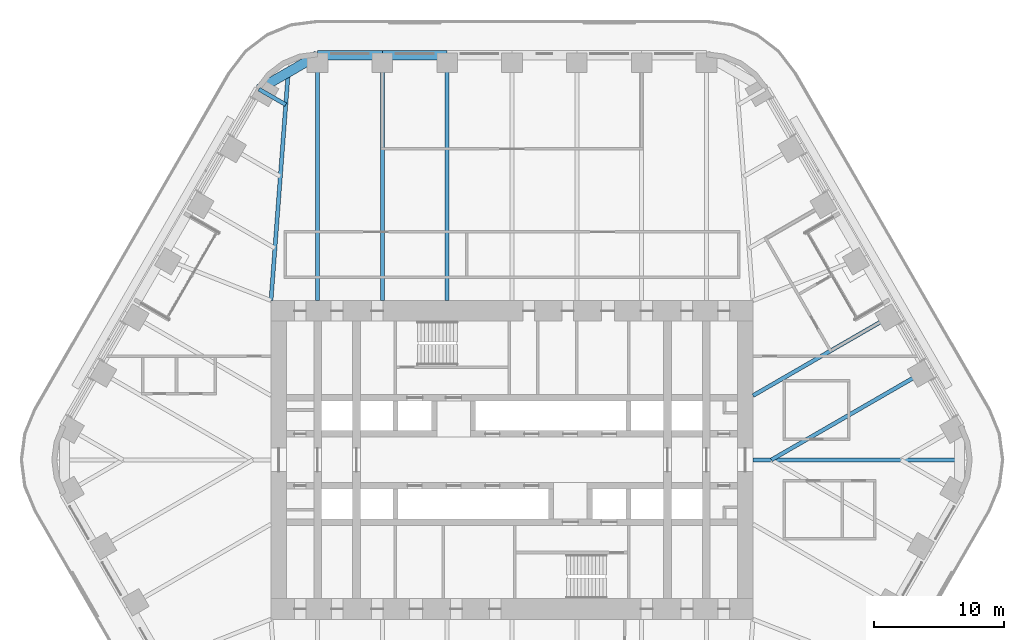
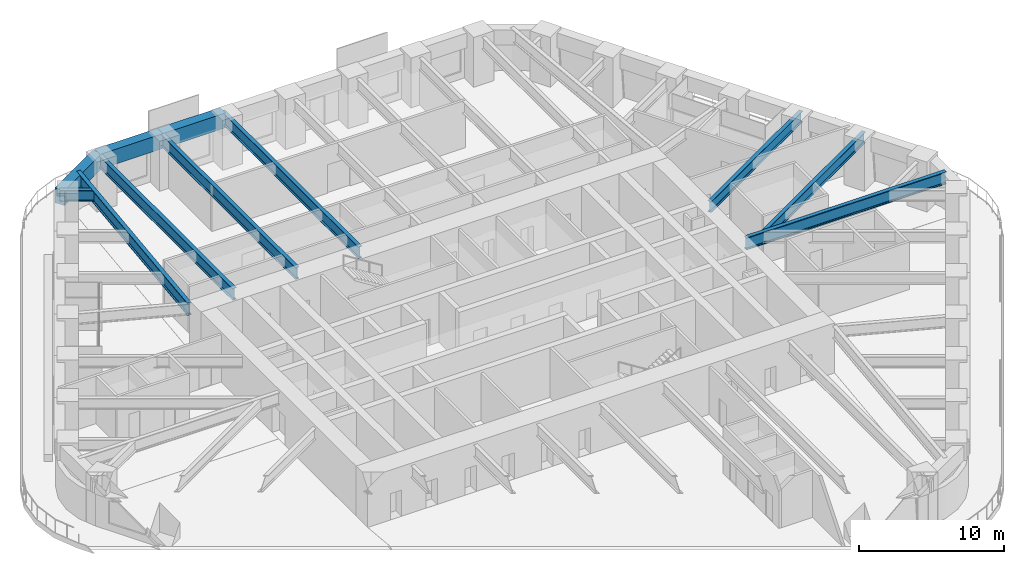
# One storey, part 10 of 24: 11 beams.
"""IFC4 building model written with IfcOpenShell, lengths in metres."""

from ifc_helpers import new_model, si_unit, direction, frame, origin, origin_2d, place, context, subcontext, project, spatial, rectangle, i_section, extrude, material, material_profile, profile_set, type_object, element, save


model = new_model("IFC4")

# Units and contexts
model_context = context("Model", 3, precision=1e-05, world=origin(), true_north=direction((0.0, 1.0)))
body_context = subcontext(model_context, "Body", "Model", "MODEL_VIEW")
ifc_project = project(units=[si_unit("LENGTHUNIT", "METRE"), si_unit("AREAUNIT", "SQUARE_METRE"), si_unit("VOLUMEUNIT", "CUBIC_METRE"), si_unit("PLANEANGLEUNIT", "RADIAN"), si_unit("MASSUNIT", "GRAM", prefix="KILO")], contexts=[model_context])

# Site, building, storey
site_placement = place(None, origin())
site = spatial("IfcSite", under=ifc_project, at=site_placement, CompositionType="ELEMENT")
building_placement = place(site_placement, origin())
building = spatial("IfcBuilding", under=site, at=building_placement, Name="Tarfa Lantern Tower", CompositionType="ELEMENT")
storey_placement = place(building_placement, frame((0.0, 0.0, 140.5)))
storey = spatial("IfcBuildingStorey", under=building, at=storey_placement, Name="L31", CompositionType="ELEMENT", Elevation=140.5)

# Beams
ifc_material_1 = material(Name="Concrete C80/95", Category="concrete")
ifc_material_profile_1 = material_profile(ifc_material_1, rectangle(XDim=0.75, YDim=1.25, at=origin_2d()), Name="RC 750x1250")
ifc_profile_set_1 = profile_set([ifc_material_profile_1], Name="Concrete C80/95")
beam_type_1 = type_object("IfcBeamType", Name="EB2 RC 750x1250", PredefinedType="SPANDREL", material=ifc_profile_set_1)
for number, where, z_axis, x_axis, name in (
    (1, (-5.003662109375, 31.219970703125, 3.375), (-1.0, 0.0, 0.0), (0.0, -1.0, 0.0), "Edge beam N4"),
    (2, (-10.00732421875, 31.219970703125, 3.375), (-1.0, 0.0, 0.0), (0.0, -1.0, 0.0), "Edge beam N5"),
):
    element("IfcBeam", number, at=place(storey_placement, frame(where, z_axis=z_axis, x_axis=x_axis)), inside=storey, type_object=beam_type_1, Name=name, PredefinedType="SPANDREL", context=body_context, shape_type="SweptSolid", body=[
        extrude(rectangle(XDim=0.75, YDim=1.25, at=origin_2d()), origin(), (0.0, 0.0, 1.0), 5.003662109375),
    ])
beam_1_placement = place(storey_placement, frame((-15.010986328125, 31.219970703125, 3.375), z_axis=(-0.86604150238, -0.499972115377, 0.0), x_axis=(0.499972115377, -0.86604150238, 0.0)))
element("IfcBeam", 3, at=beam_1_placement, inside=storey, type_object=beam_type_1, Name="Edge beam N6", PredefinedType="SPANDREL", context=body_context, shape_type="SweptSolid", body=[
    extrude(rectangle(XDim=0.75, YDim=1.25, at=origin_2d()), origin(), (0.0, 0.0, 1.0), 5.219970703125),
])
ifc_material_2 = material(Name="Steel S460M", Category="steel")
ifc_material_profile_2 = material_profile(ifc_material_2, i_section(OverallWidth=0.302001953125, OverallDepth=1.008056640625, WebThickness=0.02099609375, FlangeThickness=0.0400390625, FilletRadius=0.030029296875, at=origin_2d()), Name="UB1016x305x349")
ifc_profile_set_2 = profile_set([ifc_material_profile_2], Name="Steel S460M")
beam_type_2 = type_object("IfcBeamType", Name="UB1016x305x349", PredefinedType="BEAM", material=ifc_profile_set_2)
for number, where, z_axis, x_axis, name in (
    (4, (-5.003662109375, 31.219970703125, 3.495849609375), (0.0, -1.0, 0.0), (1.0, 0.0, 0.0), "Floor beam N4"),
    (5, (-10.00732421875, 31.219970703125, 3.495849609375), (0.0, -1.0, 0.0), (1.0, 0.0, 0.0), "Floor beam N5"),
    (6, (-15.010986328125, 31.219970703125, 3.495849609375), (0.0, -1.0, 0.0), (1.0, 0.0, 0.0), "Floor beam N6"),
):
    element("IfcBeam", number, at=place(storey_placement, frame(where, z_axis=z_axis, x_axis=x_axis)), inside=storey, type_object=beam_type_2, Name=name, PredefinedType="BEAM", context=body_context, shape_type="SweptSolid", body=[
        extrude(i_section(OverallWidth=0.302001953125, OverallDepth=1.008056640625, WebThickness=0.02099609375, FlangeThickness=0.0400390625, FilletRadius=0.030029296875, at=origin_2d()), origin(), (0.0, 0.0, 1.0), 18.919921875),
    ])
ifc_material_profile_3 = material_profile(ifc_material_2, i_section(OverallWidth=0.30859375, OverallDepth=1.036376953125, WebThickness=0.030029296875, FlangeThickness=0.05419921875, FilletRadius=0.030029296875, at=origin_2d()), Name="UB1016x305x487")
ifc_profile_set_3 = profile_set([ifc_material_profile_3], Name="Steel S460M")
beam_type_3 = type_object("IfcBeamType", Name="UB1016x305x487", PredefinedType="BEAM", material=ifc_profile_set_3)
beam_2_placement = place(storey_placement, frame((18.60009765625, 0.0, 3.48193359375), z_axis=(1.0, 0.0, 0.0), x_axis=(0.0, 1.0, 0.0)))
element("IfcBeam", 7, at=beam_2_placement, inside=storey, type_object=beam_type_3, Name="Hip girder E", PredefinedType="BEAM", context=body_context, shape_type="SweptSolid", body=[
    extrude(i_section(OverallWidth=0.30859375, OverallDepth=1.036376953125, WebThickness=0.030029296875, FlangeThickness=0.05419921875, FilletRadius=0.030029296875, at=origin_2d()), origin(), (0.0, 0.0, 1.0), 15.94287109375),
])
beam_3_placement = place(storey_placement, frame((-18.60009765625, 12.300048828125, 3.48193359375), z_axis=(0.075211516041, 0.99716760269, 0.0), x_axis=(-0.99716760269, 0.075211516041, 0.0)))
element("IfcBeam", 8, at=beam_3_placement, inside=storey, type_object=beam_type_3, Name="Hip girder NW", PredefinedType="BEAM", context=body_context, shape_type="SweptSolid", body=[
    extrude(i_section(OverallWidth=0.30859375, OverallDepth=1.036376953125, WebThickness=0.030029296875, FlangeThickness=0.05419921875, FilletRadius=0.030029296875, at=origin_2d()), origin(), (0.0, 0.0, 1.0), 17.6650390625),
])
ifc_material_profile_4 = material_profile(ifc_material_2, i_section(OverallWidth=0.305419921875, OverallDepth=0.91845703125, WebThickness=0.017333984375, FlangeThickness=0.02783203125, FilletRadius=0.01904296875, at=origin_2d()), Name="UB914x305x253")
ifc_profile_set_4 = profile_set([ifc_material_profile_4], Name="Steel S460M")
beam_type_4 = type_object("IfcBeamType", Name="UB914x305x253", PredefinedType="BEAM", material=ifc_profile_set_4)
beam_4_placement = place(storey_placement, frame((32.041015625, 6.943359375, 3.540771484375), z_axis=(-0.866023096411, -0.500003996466, 0.0), x_axis=(0.500003996466, -0.866023096411, 0.0)))
element("IfcBeam", 9, at=beam_4_placement, inside=storey, type_object=beam_type_4, Name="Floor beam NE1", PredefinedType="BEAM", context=body_context, shape_type="SweptSolid", body=[
    extrude(i_section(OverallWidth=0.305419921875, OverallDepth=0.91845703125, WebThickness=0.017333984375, FlangeThickness=0.02783203125, FilletRadius=0.01904296875, at=origin_2d()), origin(), (0.0, 0.0, 1.0), 13.88671875),
])
beam_5_placement = place(storey_placement, frame((29.5390625, 11.276611328125, 3.540771484375), z_axis=(-0.866023362995, -0.500003534735, 0.0), x_axis=(0.500003534735, -0.866023362995, 0.0)))
element("IfcBeam", 10, at=beam_5_placement, inside=storey, type_object=beam_type_4, Name="Floor beam NE2", PredefinedType="BEAM", context=body_context, shape_type="SweptSolid", body=[
    extrude(i_section(OverallWidth=0.305419921875, OverallDepth=0.91845703125, WebThickness=0.017333984375, FlangeThickness=0.02783203125, FilletRadius=0.01904296875, at=origin_2d()), origin(), (0.0, 0.0, 1.0), 12.63134765625),
])
beam_6_placement = place(storey_placement, frame((-19.53173828125, 28.610107421875, 3.540771484375), z_axis=(0.865998640954, -0.500046351717, 0.0), x_axis=(0.500046351717, 0.865998640954, 0.0)))
element("IfcBeam", 11, at=beam_6_placement, inside=storey, type_object=beam_type_4, Name="Floor beam NW0", PredefinedType="BEAM", context=body_context, shape_type="SweptSolid", body=[
    extrude(i_section(OverallWidth=0.305419921875, OverallDepth=0.91845703125, WebThickness=0.017333984375, FlangeThickness=0.02783203125, FilletRadius=0.01904296875, at=origin_2d()), origin(), (0.0, 0.0, 1.0), 2.392333984375),
])

save(model, "model.ifc")
